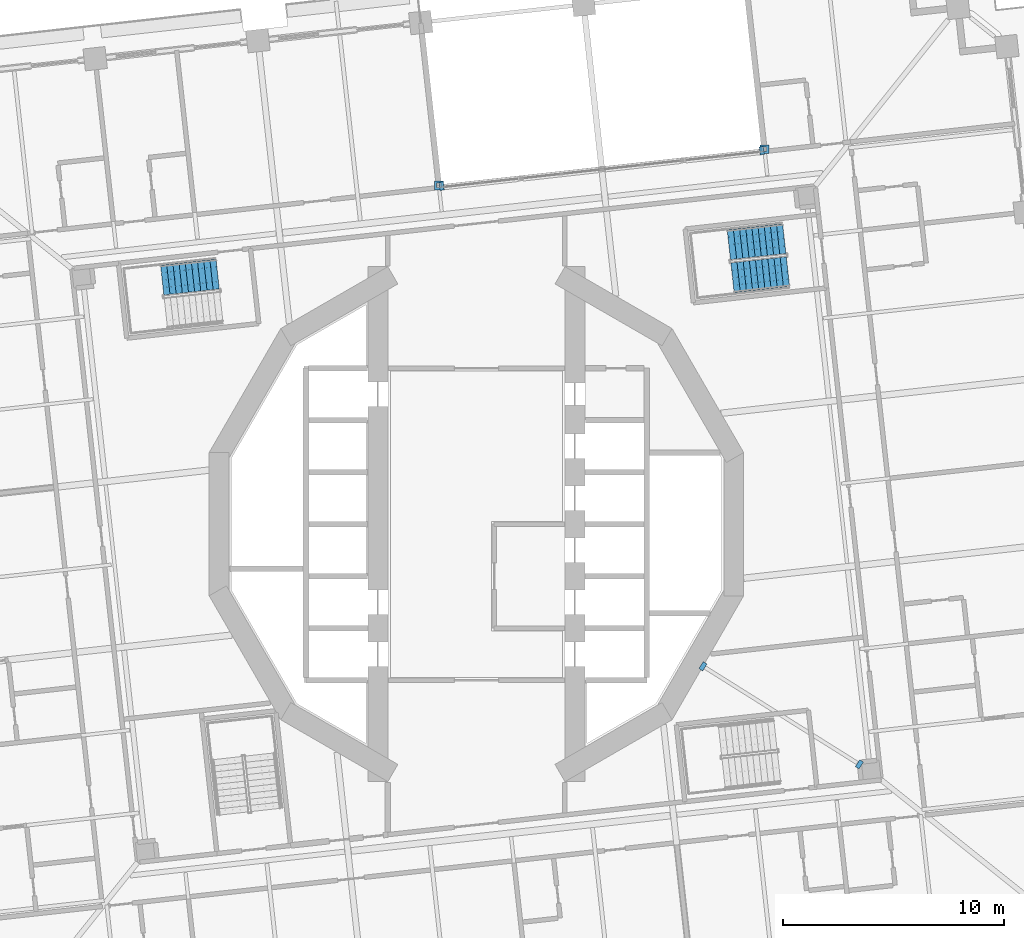
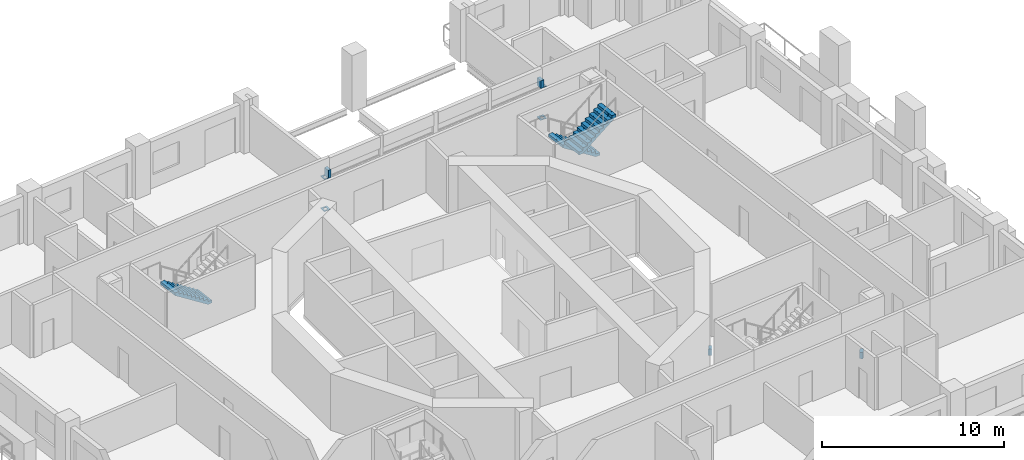
# One storey, part 14 of 20: 8 discrete accessories, 3 stair flights, 2 elements without a shape of their own.
"""IFC4 building model written with IfcOpenShell, lengths in metres."""

from ifc_helpers import new_model, si_unit, direction, frame, origin, place, context, subcontext, project, spatial, polyline, outline, extrude, material, layer, layer_set, type_object, element, aggregate, save


model = new_model("IFC4")

# Units and contexts
model_context = context("Model", 3, precision=1e-05, world=origin(), true_north=direction((0.0, 1.0)))
body_context = subcontext(model_context, "Body", "Model", "MODEL_VIEW")
ifc_project = project(units=[si_unit("LENGTHUNIT", "METRE"), si_unit("AREAUNIT", "SQUARE_METRE"), si_unit("VOLUMEUNIT", "CUBIC_METRE"), si_unit("PLANEANGLEUNIT", "RADIAN"), si_unit("MASSUNIT", "GRAM", prefix="KILO")], contexts=[model_context])

# Site, building, storey
site_placement = place(None, origin())
site = spatial("IfcSite", under=ifc_project, at=site_placement, CompositionType="ELEMENT")
building_placement = place(site_placement, origin())
building = spatial("IfcBuilding", under=site, at=building_placement, Name="Cantera Rosa Tower", CompositionType="ELEMENT")
storey_placement = place(building_placement, frame((0.0, 0.0, 50.10009765625)))
storey = spatial("IfcBuildingStorey", under=building, at=storey_placement, Name="L09", CompositionType="ELEMENT", Elevation=50.10009765625)

# Stair, stair flights
ifc_material_1 = material(Name="Concrete C35/45", Category="concrete")
stair_type = type_object("IfcStairType", Name="EXIT STAIR 1350 DOGLEG", PredefinedType="HALF_TURN_STAIR", material=ifc_material_1)
stair_1_placement = place(storey_placement, origin())
stair_1 = element("IfcStair", 1, at=stair_1_placement, inside=storey, type_object=stair_type, Name="L09 ST-11", PredefinedType="HALF_TURN_STAIR")
ifc_material_2 = material(Name="Concrete C35/45", Category="concrete")
stair_flight_type = type_object("IfcStairFlightType", Name="STAIR FLIGHT 1350 R20x190", PredefinedType="STRAIGHT", material=ifc_material_2)
stair_flight_1_placement = place(storey_placement, frame((13.90869140625, 12.89990234375, 0.0), z_axis=(0.0, 0.0, 1.0), x_axis=(-0.993896947056, -0.110312549749, 0.0)))
stair_flight_1 = element("IfcStairFlight", 2, at=stair_flight_1_placement, type_object=stair_flight_type, Name="ST-11 flight 1", NumberOfRisers=10, NumberOfTreads=9, PredefinedType="STRAIGHT", RiserHeight=0.19, TreadLength=0.28, context=body_context, shape_type="SweptSolid", body=[
    extrude(outline(polyline([(0.0, 0.0), (0.0, 0.18994140625), (0.280029296875, 0.18994140625), (0.280029296875, 0.3798828125), (0.56005859375, 0.3798828125), (0.56005859375, 0.570068359375), (0.840087890625, 0.570068359375), (0.840087890625, 0.760009765625), (1.1201171875, 0.760009765625), (1.1201171875, 0.949951171875), (1.39990234375, 0.949951171875), (1.39990234375, 1.139892578125), (1.679931640625, 1.139892578125), (1.679931640625, 1.330078125), (1.9599609375, 1.330078125), (1.9599609375, 1.52001953125), (2.239990234375, 1.52001953125), (2.239990234375, 1.7099609375), (2.52001953125, 1.7099609375), (2.52001953125, 1.89990234375), (2.52001953125, 1.52880859375), (0.266845703125, 0.0), (0.0, 0.0)])), frame((0.0, 0.675048828125, 0.0), z_axis=(0.0, -1.0, 0.0), x_axis=(1.0, 0.0, 0.0)), (0.0, 0.0, 1.0), 0.3359375),
    extrude(outline(polyline([(0.0, 0.0), (0.0, 0.18994140625), (0.280029296875, 0.18994140625), (0.280029296875, 0.3798828125), (0.56005859375, 0.3798828125), (0.56005859375, 0.570068359375), (0.840087890625, 0.570068359375), (0.840087890625, 0.760009765625), (1.1201171875, 0.760009765625), (1.1201171875, 0.949951171875), (1.39990234375, 0.949951171875), (1.39990234375, 1.139892578125), (1.679931640625, 1.139892578125), (1.679931640625, 1.330078125), (1.9599609375, 1.330078125), (1.9599609375, 1.52001953125), (2.239990234375, 1.52001953125), (2.239990234375, 1.7099609375), (2.52001953125, 1.7099609375), (2.52001953125, 1.89990234375), (2.52001953125, 1.52880859375), (0.266845703125, 0.0), (0.0, 0.0)])), frame((0.0, 0.337158203125, 0.0), z_axis=(0.0, -1.0, 0.0), x_axis=(1.0, 0.0, 0.0)), (0.0, 0.0, 1.0), 0.3359375),
    extrude(outline(polyline([(0.0, 0.0), (0.0, 0.18994140625), (0.280029296875, 0.18994140625), (0.280029296875, 0.3798828125), (0.56005859375, 0.3798828125), (0.56005859375, 0.570068359375), (0.840087890625, 0.570068359375), (0.840087890625, 0.760009765625), (1.1201171875, 0.760009765625), (1.1201171875, 0.949951171875), (1.39990234375, 0.949951171875), (1.39990234375, 1.139892578125), (1.679931640625, 1.139892578125), (1.679931640625, 1.330078125), (1.9599609375, 1.330078125), (1.9599609375, 1.52001953125), (2.239990234375, 1.52001953125), (2.239990234375, 1.7099609375), (2.52001953125, 1.7099609375), (2.52001953125, 1.89990234375), (2.52001953125, 1.52880859375), (0.266845703125, 0.0), (0.0, 0.0)])), frame((0.0, -0.000732421875, 0.0), z_axis=(0.0, -1.0, 0.0), x_axis=(1.0, 0.0, 0.0)), (0.0, 0.0, 1.0), 0.3359375),
    extrude(outline(polyline([(0.0, 0.0), (0.0, 0.18994140625), (0.280029296875, 0.18994140625), (0.280029296875, 0.3798828125), (0.56005859375, 0.3798828125), (0.56005859375, 0.570068359375), (0.840087890625, 0.570068359375), (0.840087890625, 0.760009765625), (1.1201171875, 0.760009765625), (1.1201171875, 0.949951171875), (1.39990234375, 0.949951171875), (1.39990234375, 1.139892578125), (1.679931640625, 1.139892578125), (1.679931640625, 1.330078125), (1.9599609375, 1.330078125), (1.9599609375, 1.52001953125), (2.239990234375, 1.52001953125), (2.239990234375, 1.7099609375), (2.52001953125, 1.7099609375), (2.52001953125, 1.89990234375), (2.52001953125, 1.52880859375), (0.266845703125, 0.0), (0.0, 0.0)])), frame((0.0, -0.338623046875, 0.0), z_axis=(0.0, -1.0, 0.0), x_axis=(1.0, 0.0, 0.0)), (0.0, 0.0, 1.0), 0.3359375),
])
stair_flight_2_placement = place(storey_placement, frame((11.569580078125, 11.131103515625, 1.89990234375), z_axis=(0.0, 0.0, 1.0), x_axis=(0.993896947056, 0.110312549749, 0.0)))
stair_flight_2 = element("IfcStairFlight", 3, at=stair_flight_2_placement, type_object=stair_flight_type, Name="ST-11 flight 2", NumberOfRisers=10, NumberOfTreads=9, PredefinedType="STRAIGHT", RiserHeight=0.19, TreadLength=0.28, context=body_context, shape_type="SweptSolid", body=[
    extrude(outline(polyline([(0.0, 0.0), (0.0, 0.18994140625), (0.280029296875, 0.18994140625), (0.280029296875, 0.3798828125), (0.56005859375, 0.3798828125), (0.56005859375, 0.570068359375), (0.840087890625, 0.570068359375), (0.840087890625, 0.760009765625), (1.1201171875, 0.760009765625), (1.1201171875, 0.949951171875), (1.39990234375, 0.949951171875), (1.39990234375, 1.139892578125), (1.679931640625, 1.139892578125), (1.679931640625, 1.330078125), (1.9599609375, 1.330078125), (1.9599609375, 1.52001953125), (2.239990234375, 1.52001953125), (2.239990234375, 1.7099609375), (2.52001953125, 1.7099609375), (2.52001953125, 1.89990234375), (2.52001953125, 1.52880859375), (0.266845703125, 0.0), (0.0, 0.0)])), frame((0.0, 0.675048828125, 0.0), z_axis=(0.0, -1.0, 0.0), x_axis=(1.0, 0.0, 0.0)), (0.0, 0.0, 1.0), 0.3359375),
    extrude(outline(polyline([(0.0, 0.0), (0.0, 0.18994140625), (0.280029296875, 0.18994140625), (0.280029296875, 0.3798828125), (0.56005859375, 0.3798828125), (0.56005859375, 0.570068359375), (0.840087890625, 0.570068359375), (0.840087890625, 0.760009765625), (1.1201171875, 0.760009765625), (1.1201171875, 0.949951171875), (1.39990234375, 0.949951171875), (1.39990234375, 1.139892578125), (1.679931640625, 1.139892578125), (1.679931640625, 1.330078125), (1.9599609375, 1.330078125), (1.9599609375, 1.52001953125), (2.239990234375, 1.52001953125), (2.239990234375, 1.7099609375), (2.52001953125, 1.7099609375), (2.52001953125, 1.89990234375), (2.52001953125, 1.52880859375), (0.266845703125, 0.0), (0.0, 0.0)])), frame((0.0, 0.337158203125, 0.0), z_axis=(0.0, -1.0, 0.0), x_axis=(1.0, 0.0, 0.0)), (0.0, 0.0, 1.0), 0.3359375),
    extrude(outline(polyline([(0.0, 0.0), (0.0, 0.18994140625), (0.280029296875, 0.18994140625), (0.280029296875, 0.3798828125), (0.56005859375, 0.3798828125), (0.56005859375, 0.570068359375), (0.840087890625, 0.570068359375), (0.840087890625, 0.760009765625), (1.1201171875, 0.760009765625), (1.1201171875, 0.949951171875), (1.39990234375, 0.949951171875), (1.39990234375, 1.139892578125), (1.679931640625, 1.139892578125), (1.679931640625, 1.330078125), (1.9599609375, 1.330078125), (1.9599609375, 1.52001953125), (2.239990234375, 1.52001953125), (2.239990234375, 1.7099609375), (2.52001953125, 1.7099609375), (2.52001953125, 1.89990234375), (2.52001953125, 1.52880859375), (0.266845703125, 0.0), (0.0, 0.0)])), frame((0.0, -0.000732421875, 0.0), z_axis=(0.0, -1.0, 0.0), x_axis=(1.0, 0.0, 0.0)), (0.0, 0.0, 1.0), 0.3359375),
    extrude(outline(polyline([(0.0, 0.0), (0.0, 0.18994140625), (0.280029296875, 0.18994140625), (0.280029296875, 0.3798828125), (0.56005859375, 0.3798828125), (0.56005859375, 0.570068359375), (0.840087890625, 0.570068359375), (0.840087890625, 0.760009765625), (1.1201171875, 0.760009765625), (1.1201171875, 0.949951171875), (1.39990234375, 0.949951171875), (1.39990234375, 1.139892578125), (1.679931640625, 1.139892578125), (1.679931640625, 1.330078125), (1.9599609375, 1.330078125), (1.9599609375, 1.52001953125), (2.239990234375, 1.52001953125), (2.239990234375, 1.7099609375), (2.52001953125, 1.7099609375), (2.52001953125, 1.89990234375), (2.52001953125, 1.52880859375), (0.266845703125, 0.0), (0.0, 0.0)])), frame((0.0, -0.338623046875, 0.0), z_axis=(0.0, -1.0, 0.0), x_axis=(1.0, 0.0, 0.0)), (0.0, 0.0, 1.0), 0.3359375),
])
aggregate(stair_1, [stair_flight_1, stair_flight_2])

# Stair, stair flight
stair_2_placement = place(storey_placement, origin())
stair_2 = element("IfcStair", 4, at=stair_2_placement, inside=storey, type_object=stair_type, Name="L09 ST-12", PredefinedType="HALF_TURN_STAIR")
stair_flight_3_placement = place(storey_placement, frame((-11.691162109375, 11.2998046875, 0.0), z_axis=(0.0, 0.0, 1.0), x_axis=(-0.993896947056, -0.110312549749, 0.0)))
stair_flight_3 = element("IfcStairFlight", 5, at=stair_flight_3_placement, type_object=stair_flight_type, Name="ST-12 flight 1", NumberOfRisers=10, NumberOfTreads=9, PredefinedType="STRAIGHT", RiserHeight=0.19, TreadLength=0.28, context=body_context, shape_type="SweptSolid", body=[
    extrude(outline(polyline([(0.0, 0.0), (0.0, 0.18994140625), (0.280029296875, 0.18994140625), (0.280029296875, 0.3798828125), (0.56005859375, 0.3798828125), (0.56005859375, 0.570068359375), (0.840087890625, 0.570068359375), (0.840087890625, 0.760009765625), (1.1201171875, 0.760009765625), (1.1201171875, 0.949951171875), (1.39990234375, 0.949951171875), (1.39990234375, 1.139892578125), (1.679931640625, 1.139892578125), (1.679931640625, 1.330078125), (1.9599609375, 1.330078125), (1.9599609375, 1.52001953125), (2.239990234375, 1.52001953125), (2.239990234375, 1.7099609375), (2.52001953125, 1.7099609375), (2.52001953125, 1.89990234375), (2.52001953125, 1.52880859375), (0.266845703125, 0.0), (0.0, 0.0)])), frame((0.0, 0.675048828125, 0.0), z_axis=(0.0, -1.0, 0.0), x_axis=(1.0, 0.0, 0.0)), (0.0, 0.0, 1.0), 0.3359375),
    extrude(outline(polyline([(0.0, 0.0), (0.0, 0.18994140625), (0.280029296875, 0.18994140625), (0.280029296875, 0.3798828125), (0.56005859375, 0.3798828125), (0.56005859375, 0.570068359375), (0.840087890625, 0.570068359375), (0.840087890625, 0.760009765625), (1.1201171875, 0.760009765625), (1.1201171875, 0.949951171875), (1.39990234375, 0.949951171875), (1.39990234375, 1.139892578125), (1.679931640625, 1.139892578125), (1.679931640625, 1.330078125), (1.9599609375, 1.330078125), (1.9599609375, 1.52001953125), (2.239990234375, 1.52001953125), (2.239990234375, 1.7099609375), (2.52001953125, 1.7099609375), (2.52001953125, 1.89990234375), (2.52001953125, 1.52880859375), (0.266845703125, 0.0), (0.0, 0.0)])), frame((0.0, 0.337158203125, 0.0), z_axis=(0.0, -1.0, 0.0), x_axis=(1.0, 0.0, 0.0)), (0.0, 0.0, 1.0), 0.3359375),
    extrude(outline(polyline([(0.0, 0.0), (0.0, 0.18994140625), (0.280029296875, 0.18994140625), (0.280029296875, 0.3798828125), (0.56005859375, 0.3798828125), (0.56005859375, 0.570068359375), (0.840087890625, 0.570068359375), (0.840087890625, 0.760009765625), (1.1201171875, 0.760009765625), (1.1201171875, 0.949951171875), (1.39990234375, 0.949951171875), (1.39990234375, 1.139892578125), (1.679931640625, 1.139892578125), (1.679931640625, 1.330078125), (1.9599609375, 1.330078125), (1.9599609375, 1.52001953125), (2.239990234375, 1.52001953125), (2.239990234375, 1.7099609375), (2.52001953125, 1.7099609375), (2.52001953125, 1.89990234375), (2.52001953125, 1.52880859375), (0.266845703125, 0.0), (0.0, 0.0)])), frame((0.0, -0.000732421875, 0.0), z_axis=(0.0, -1.0, 0.0), x_axis=(1.0, 0.0, 0.0)), (0.0, 0.0, 1.0), 0.3359375),
    extrude(outline(polyline([(0.0, 0.0), (0.0, 0.18994140625), (0.280029296875, 0.18994140625), (0.280029296875, 0.3798828125), (0.56005859375, 0.3798828125), (0.56005859375, 0.570068359375), (0.840087890625, 0.570068359375), (0.840087890625, 0.760009765625), (1.1201171875, 0.760009765625), (1.1201171875, 0.949951171875), (1.39990234375, 0.949951171875), (1.39990234375, 1.139892578125), (1.679931640625, 1.139892578125), (1.679931640625, 1.330078125), (1.9599609375, 1.330078125), (1.9599609375, 1.52001953125), (2.239990234375, 1.52001953125), (2.239990234375, 1.7099609375), (2.52001953125, 1.7099609375), (2.52001953125, 1.89990234375), (2.52001953125, 1.52880859375), (0.266845703125, 0.0), (0.0, 0.0)])), frame((0.0, -0.338623046875, 0.0), z_axis=(0.0, -1.0, 0.0), x_axis=(1.0, 0.0, 0.0)), (0.0, 0.0, 1.0), 0.3359375),
])
aggregate(stair_2, [stair_flight_3])

# Discrete accessories
ifc_material_3 = material(Name="Steel ASTM A992 (Fy 345 MPa)", Category="steel")
ifc_layer = layer(ifc_material_3, 0.0400390625)
ifc_layer_set = layer_set([ifc_layer], Name="STEEL BEARING PLATE 40")
discrete_accessory_type = type_object("IfcDiscreteAccessoryType", Name="STEEL BEARING PLATE 40", PredefinedType="ANCHORPLATE", material=ifc_layer_set)
discrete_accessory_1_placement = place(storey_placement, frame((0.0, 0.0, -0.72802734375)))
element("IfcDiscreteAccessory", 6, at=discrete_accessory_1_placement, inside=storey, type_object=discrete_accessory_type, Name="BEARING PLATE PG-Z1-01 end 1 L09", PredefinedType="ANCHORPLATE", context=body_context, shape_type="SweptSolid", body=[
    extrude(outline(polyline([(17.12060546875, -10.952392578125), (17.2900390625, -11.05859375), (17.484619140625, -10.74853515625), (17.315185546875, -10.642333984375), (17.12060546875, -10.952392578125)])), origin(), (0.0, 0.0, 1.0), 0.427978515625),
])
discrete_accessory_2_placement = place(storey_placement, frame((0.0, 0.0, -0.72802734375)))
element("IfcDiscreteAccessory", 7, at=discrete_accessory_2_placement, inside=storey, type_object=discrete_accessory_type, Name="BEARING PLATE PG-Z1-01 end 2 L09", PredefinedType="ANCHORPLATE", context=body_context, shape_type="SweptSolid", body=[
    extrude(outline(polyline([(10.41796875, -6.317138671875), (10.248291015625, -6.210693359375), (10.053955078125, -6.52099609375), (10.223388671875, -6.627197265625), (10.41796875, -6.317138671875)])), origin(), (0.0, 0.0, 1.0), 0.427978515625),
])
discrete_accessory_3_placement = place(storey_placement, origin())
element("IfcDiscreteAccessory", 8, at=discrete_accessory_3_placement, inside=storey, type_object=discrete_accessory_type, Name="POST PLATE L09-1F", PredefinedType="ANCHORPLATE", context=body_context, shape_type="SweptSolid", body=[
    extrude(outline(polyline([(12.810791015625, 16.738525390625), (13.2109375, 16.738525390625), (13.2109375, 17.138671875), (12.810791015625, 17.138671875), (12.810791015625, 16.738525390625)]), holes=[polyline([(12.910888671875, 16.838623046875), (13.11083984375, 16.838623046875), (13.11083984375, 17.03857421875), (12.910888671875, 17.03857421875), (12.910888671875, 16.838623046875)])]), origin(), (0.0, 0.0, 1.0), 0.039794921875),
])
discrete_accessory_4_placement = place(storey_placement, frame((0.0, 0.0, 2.14794921875)))
element("IfcDiscreteAccessory", 9, at=discrete_accessory_4_placement, inside=storey, type_object=discrete_accessory_type, Name="POST PLATE L09-1T", PredefinedType="ANCHORPLATE", context=body_context, shape_type="SweptSolid", body=[
    extrude(outline(polyline([(12.810791015625, 16.738525390625), (13.2109375, 16.738525390625), (13.2109375, 17.138671875), (12.810791015625, 17.138671875), (12.810791015625, 16.738525390625)]), holes=[polyline([(12.910888671875, 16.838623046875), (13.11083984375, 16.838623046875), (13.11083984375, 17.03857421875), (12.910888671875, 17.03857421875), (12.910888671875, 16.838623046875)])]), origin(), (0.0, 0.0, 1.0), 0.0400390625),
])
discrete_accessory_5_placement = place(storey_placement, origin())
element("IfcDiscreteAccessory", 10, at=discrete_accessory_5_placement, inside=storey, type_object=discrete_accessory_type, Name="POST PLATE L09-2F", PredefinedType="ANCHORPLATE", context=body_context, shape_type="SweptSolid", body=[
    extrude(outline(polyline([(-1.898681640625, 15.10595703125), (-1.498779296875, 15.10595703125), (-1.498779296875, 15.506103515625), (-1.898681640625, 15.506103515625), (-1.898681640625, 15.10595703125)]), holes=[polyline([(-1.798828125, 15.2060546875), (-1.598876953125, 15.2060546875), (-1.598876953125, 15.406005859375), (-1.798828125, 15.406005859375), (-1.798828125, 15.2060546875)])]), origin(), (0.0, 0.0, 1.0), 0.039794921875),
])
discrete_accessory_6_placement = place(storey_placement, frame((0.0, 0.0, 2.14794921875)))
element("IfcDiscreteAccessory", 11, at=discrete_accessory_6_placement, inside=storey, type_object=discrete_accessory_type, Name="POST PLATE L09-2T", PredefinedType="ANCHORPLATE", context=body_context, shape_type="SweptSolid", body=[
    extrude(outline(polyline([(-1.898681640625, 15.10595703125), (-1.498779296875, 15.10595703125), (-1.498779296875, 15.506103515625), (-1.898681640625, 15.506103515625), (-1.898681640625, 15.10595703125)]), holes=[polyline([(-1.798828125, 15.2060546875), (-1.598876953125, 15.2060546875), (-1.598876953125, 15.406005859375), (-1.798828125, 15.406005859375), (-1.798828125, 15.2060546875)])]), origin(), (0.0, 0.0, 1.0), 0.0400390625),
])
discrete_accessory_7_placement = place(storey_placement, frame((0.0, 0.0, 2.18798828125)))
element("IfcDiscreteAccessory", 12, at=discrete_accessory_7_placement, inside=storey, type_object=discrete_accessory_type, Name="LINTEL PLATE L09-1", PredefinedType="ANCHORPLATE", context=body_context, shape_type="SweptSolid", body=[
    extrude(outline(polyline([(12.81298828125, 16.68212890625), (13.01171875, 16.704345703125), (12.97119140625, 17.068115234375), (12.772705078125, 17.0458984375), (12.81298828125, 16.68212890625)])), origin(), (0.0, 0.0, 1.0), 0.52783203125),
])
discrete_accessory_8_placement = place(storey_placement, frame((0.0, 0.0, 2.18798828125)))
element("IfcDiscreteAccessory", 13, at=discrete_accessory_8_placement, inside=storey, type_object=discrete_accessory_type, Name="LINTEL PLATE L09-2", PredefinedType="ANCHORPLATE", context=body_context, shape_type="SweptSolid", body=[
    extrude(outline(polyline([(-1.489990234375, 15.462890625), (-1.688720703125, 15.44091796875), (-1.648193359375, 15.0771484375), (-1.449462890625, 15.099365234375), (-1.489990234375, 15.462890625)])), origin(), (0.0, 0.0, 1.0), 0.52783203125),
])

save(model, "model.ifc")
